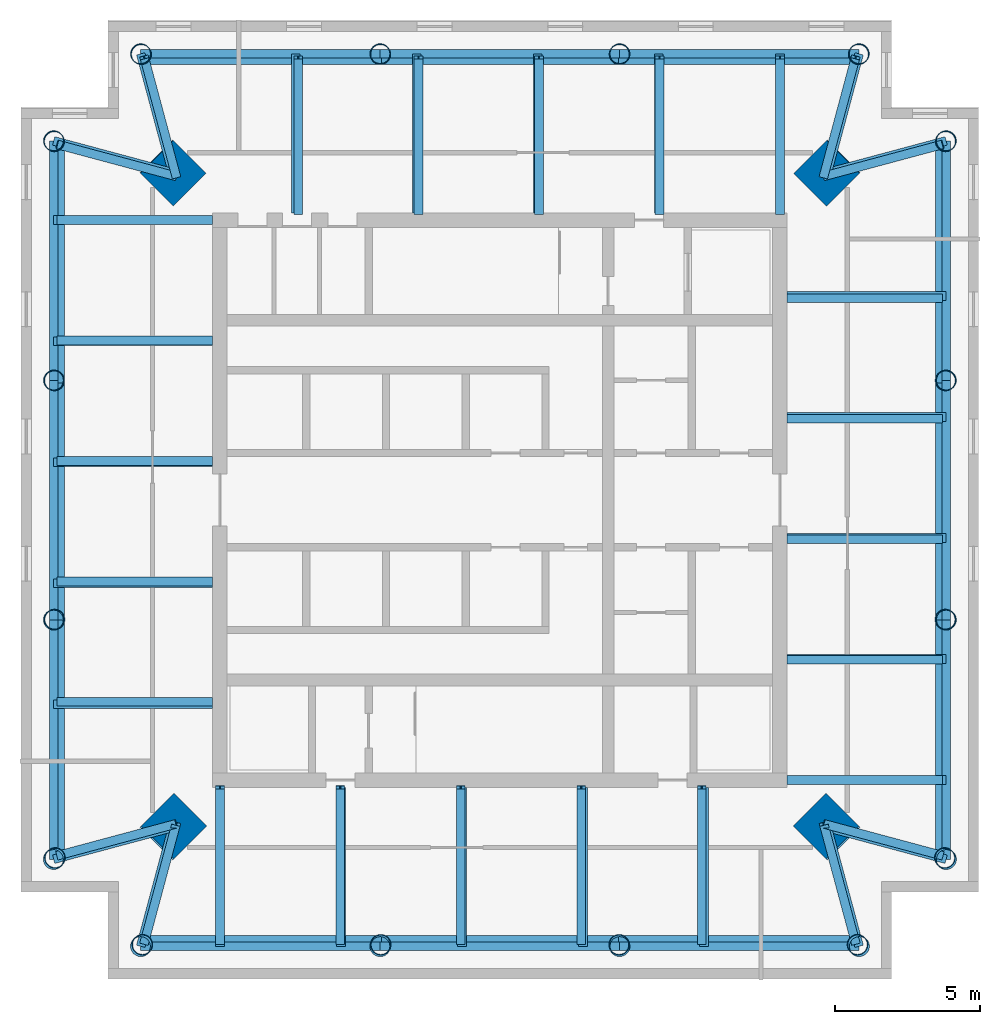
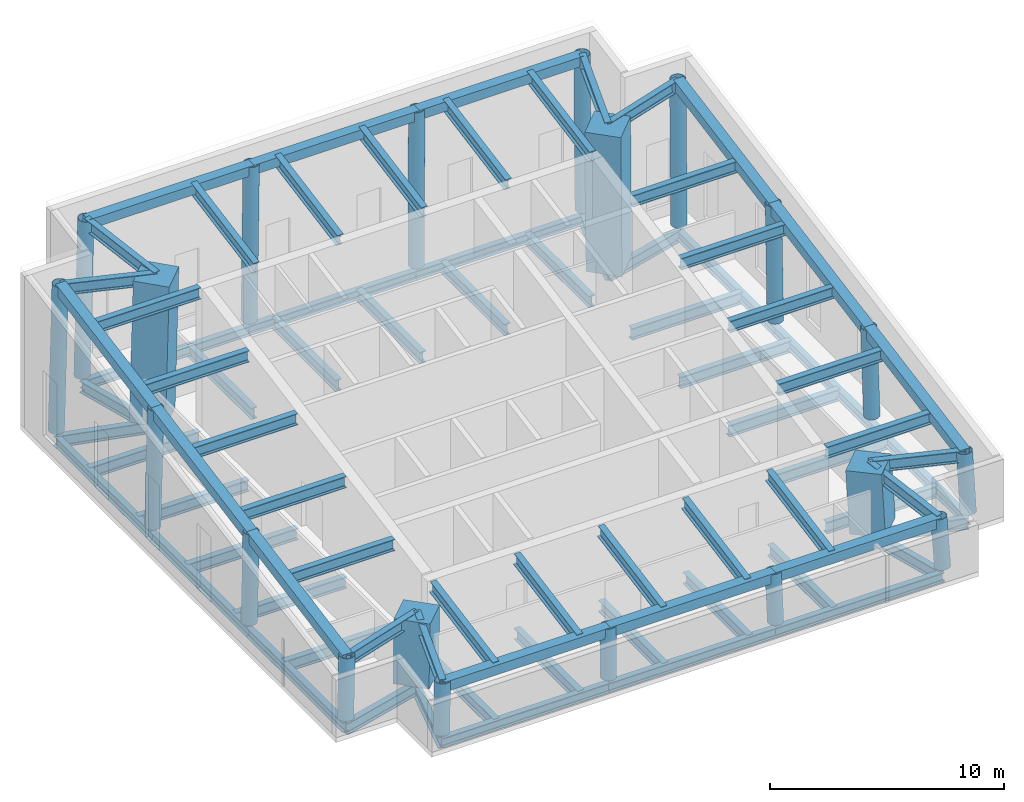
# One storey, part 1 of 5: 80 beams, 20 columns.
"""IFC4 building model written with IfcOpenShell, lengths in metres."""

from ifc_helpers import new_model, si_unit, direction, frame, origin, origin_2d, place, context, subcontext, project, spatial, rectangle, hollow_rectangle, hollow_circle, i_section, extrude, material, material_profile, profile_set, type_object, element, save


model = new_model("IFC4")

# Units and contexts
model_context = context("Model", 3, precision=1e-05, world=origin(), true_north=direction((0.0, 1.0)))
body_context = subcontext(model_context, "Body", "Model", "MODEL_VIEW")
ifc_project = project(units=[si_unit("LENGTHUNIT", "METRE"), si_unit("AREAUNIT", "SQUARE_METRE"), si_unit("VOLUMEUNIT", "CUBIC_METRE"), si_unit("PLANEANGLEUNIT", "RADIAN"), si_unit("MASSUNIT", "GRAM", prefix="KILO")], contexts=[model_context])

# Site, building, storey
site_placement = place(None, origin())
site = spatial("IfcSite", under=ifc_project, at=site_placement, CompositionType="ELEMENT")
building_placement = place(site_placement, origin())
building = spatial("IfcBuilding", under=site, at=building_placement, Name="Ostroluk Exchange", CompositionType="ELEMENT")
storey_placement = place(building_placement, frame((0.0, 0.0, 290.800048828125)))
storey = spatial("IfcBuildingStorey", under=building, at=storey_placement, Name="L75", CompositionType="ELEMENT", Elevation=290.800048828125)

# Columns
ifc_material_1 = material(Name="Concrete C50/60", Category="concrete")
ifc_material_profile_1 = material_profile(ifc_material_1, rectangle(XDim=1.60009765625, YDim=1.60009765625, at=origin_2d()), Name="RC 1600x1600")
ifc_profile_set_1 = profile_set([ifc_material_profile_1], Name="Concrete C50/60")
column_type_1 = type_object("IfcColumnType", Name="Mega column RC 1600x1600", PredefinedType="COLUMN", material=ifc_profile_set_1)
for number, where, z_axis, x_axis, name in (
    (1, (56.2783203125, 57.2783203125, 0.0185546875), (-0.016368491785, -0.016368491785, 0.999732036574), (0.707106781187, -0.707106781187, 0.0), "T1 mega column NE"),
    (2, (33.7216796875, 57.2783203125, 0.0185546875), (0.016368491785, -0.016368491785, 0.999732036574), (0.707106781187, 0.707106781187, 0.0), "T1 mega column NW"),
):
    element("IfcColumn", number, at=place(storey_placement, frame(where, z_axis=z_axis, x_axis=x_axis)), inside=storey, type_object=column_type_1, Name=name, PredefinedType="COLUMN", context=body_context, shape_type="SweptSolid", body=[
        extrude(rectangle(XDim=1.60009765625, YDim=1.60009765625, at=origin_2d()), origin(), (0.0, 0.0, 1.0), 7.39794921875),
    ])
for number, where, z_axis, x_axis, name in (
    (3, (33.7216796875, 34.7216796875, 0.006591796875), (0.036832736785, 0.036832736785, 0.998642428), (-0.707106781187, 0.707106781187, 0.0), "T1 mega column SW"),
    (4, (56.2783203125, 34.7216796875, 0.006591796875), (-0.036832736785, 0.036832736785, 0.998642428), (-0.707106781187, -0.707106781187, 0.0), "T1 mega column SE"),
):
    element("IfcColumn", number, at=place(storey_placement, frame(where, z_axis=z_axis, x_axis=x_axis)), inside=storey, type_object=column_type_1, Name=name, PredefinedType="COLUMN", context=body_context, shape_type="SweptSolid", body=[
        extrude(rectangle(XDim=1.60009765625, YDim=1.60009765625, at=origin_2d()), origin(), (0.0, 0.0, 1.0), 3.28759765625),
    ])
ifc_material_2 = material(Name="Steel S460", Category="steel")
ifc_material_profile_2 = material_profile(ifc_material_2, hollow_circle(Radius=0.35546875, WallThickness=0.02490234375, at=origin_2d()), Name="CHS 711x25")
ifc_profile_set_2 = profile_set([ifc_material_profile_2], Name="Steel S460")
column_type_2 = type_object("IfcColumnType", Name="Perimeter column CHS 711x25", PredefinedType="COLUMN", material=ifc_profile_set_2)
column_1_placement = place(storey_placement, frame((60.37841796875, 33.62158203125, 0.00537109375), z_axis=(-0.038304280408, 0.038304280408, 0.998531704156), x_axis=(-0.707106781187, -0.707106781187, 0.0)))
element("IfcColumn", 5, at=column_1_placement, inside=storey, type_object=column_type_2, Name="T1 east face column E0", PredefinedType="COLUMN", context=body_context, shape_type="SweptSolid", body=[
    extrude(hollow_circle(Radius=0.35546875, WallThickness=0.02490234375, at=origin_2d()), origin(), (0.0, 0.0, 1.0), 3.167724609375),
])
column_2_placement = place(storey_placement, frame((60.37841796875, 58.37841796875, 0.012451171875), z_axis=(-0.015779859934, -0.015779859934, 0.999750965011), x_axis=(0.707106781187, -0.707106781187, 0.0)))
element("IfcColumn", 6, at=column_2_placement, inside=storey, type_object=column_type_2, Name="T1 east face column E1", PredefinedType="COLUMN", context=body_context, shape_type="SweptSolid", body=[
    extrude(hollow_circle(Radius=0.35546875, WallThickness=0.02490234375, at=origin_2d()), origin(), (0.0, 0.0, 1.0), 7.689453125),
])
column_3_placement = place(storey_placement, frame((60.37841796875, 41.873779296875, 0.004150390625), z_axis=(-0.025946000299, 0.00866606851, 0.999625782143), x_axis=(-0.316800238982, -0.948492281772, 0.0)))
element("IfcColumn", 7, at=column_3_placement, inside=storey, type_object=column_type_2, Name="T1 east face column I1", PredefinedType="COLUMN", context=body_context, shape_type="SweptSolid", body=[
    extrude(hollow_circle(Radius=0.35546875, WallThickness=0.02490234375, at=origin_2d()), origin(), (0.0, 0.0, 1.0), 4.676513671875),
])
column_4_placement = place(storey_placement, frame((60.37841796875, 50.126220703125, 0.007568359375), z_axis=(-0.019623775422, -0.00655441996, 0.9997859506), x_axis=(0.316800238982, -0.948492281772, 0.0)))
element("IfcColumn", 8, at=column_4_placement, inside=storey, type_object=column_type_2, Name="T1 east face column I2", PredefinedType="COLUMN", context=body_context, shape_type="SweptSolid", body=[
    extrude(hollow_circle(Radius=0.35546875, WallThickness=0.02490234375, at=origin_2d()), origin(), (0.0, 0.0, 1.0), 6.18310546875),
])
for number, where, z_axis, x_axis, name in (
    (9, (57.37841796875, 61.37841796875, 0.01318359375), (-0.014720117829, -0.014720117829, 0.99978329465), (0.707106781187, -0.707106781187, 0.0), "T1 north face column E0"),
    (10, (32.62158203125, 61.37841796875, 0.01318359375), (0.014720117829, -0.014720117829, 0.99978329465), (0.707106781187, 0.707106781187, 0.0), "T1 north face column E1"),
):
    element("IfcColumn", number, at=place(storey_placement, frame(where, z_axis=z_axis, x_axis=x_axis)), inside=storey, type_object=column_type_2, Name=name, PredefinedType="COLUMN", context=body_context, shape_type="SweptSolid", body=[
        extrude(hollow_circle(Radius=0.35546875, WallThickness=0.02490234375, at=origin_2d()), origin(), (0.0, 0.0, 1.0), 8.242919921875),
    ])
for number, where, z_axis, x_axis, name in (
    (11, (49.126220703125, 61.37841796875, 0.010009765625), (-0.004915159448, -0.01471586895, 0.99987963496), (0.948492281772, -0.316800238982, 0.0), "T1 north face column I1"),
    (12, (40.873779296875, 61.37841796875, 0.010009765625), (0.004915159448, -0.01471586895, 0.99987963496), (0.948492281772, 0.316800238982, 0.0), "T1 north face column I2"),
):
    element("IfcColumn", number, at=place(storey_placement, frame(where, z_axis=z_axis, x_axis=x_axis)), inside=storey, type_object=column_type_2, Name=name, PredefinedType="COLUMN", context=body_context, shape_type="SweptSolid", body=[
        extrude(hollow_circle(Radius=0.35546875, WallThickness=0.02490234375, at=origin_2d()), origin(), (0.0, 0.0, 1.0), 8.245361328125),
    ])
column_5_placement = place(storey_placement, frame((29.62158203125, 58.37841796875, 0.012451171875), z_axis=(0.015779859934, -0.015779859934, 0.999750965011), x_axis=(0.707106781187, 0.707106781187, 0.0)))
element("IfcColumn", 13, at=column_5_placement, inside=storey, type_object=column_type_2, Name="T1 west face column E0", PredefinedType="COLUMN", context=body_context, shape_type="SweptSolid", body=[
    extrude(hollow_circle(Radius=0.35546875, WallThickness=0.02490234375, at=origin_2d()), origin(), (0.0, 0.0, 1.0), 7.689453125),
])
column_6_placement = place(storey_placement, frame((29.62158203125, 33.62158203125, 0.00537109375), z_axis=(0.038304280408, 0.038304280408, 0.998531704156), x_axis=(-0.707106781187, 0.707106781187, 0.0)))
element("IfcColumn", 14, at=column_6_placement, inside=storey, type_object=column_type_2, Name="T1 west face column E1", PredefinedType="COLUMN", context=body_context, shape_type="SweptSolid", body=[
    extrude(hollow_circle(Radius=0.35546875, WallThickness=0.02490234375, at=origin_2d()), origin(), (0.0, 0.0, 1.0), 3.167724609375),
])
column_7_placement = place(storey_placement, frame((29.62158203125, 50.126220703125, 0.007568359375), z_axis=(0.019623775422, -0.00655441996, 0.9997859506), x_axis=(0.316800238982, 0.948492281772, 0.0)))
element("IfcColumn", 15, at=column_7_placement, inside=storey, type_object=column_type_2, Name="T1 west face column I1", PredefinedType="COLUMN", context=body_context, shape_type="SweptSolid", body=[
    extrude(hollow_circle(Radius=0.35546875, WallThickness=0.02490234375, at=origin_2d()), origin(), (0.0, 0.0, 1.0), 6.18310546875),
])
column_8_placement = place(storey_placement, frame((29.62158203125, 41.873779296875, 0.004150390625), z_axis=(0.025946000299, 0.00866606851, 0.999625782143), x_axis=(-0.316800238982, 0.948492281772, 0.0)))
element("IfcColumn", 16, at=column_8_placement, inside=storey, type_object=column_type_2, Name="T1 west face column I2", PredefinedType="COLUMN", context=body_context, shape_type="SweptSolid", body=[
    extrude(hollow_circle(Radius=0.35546875, WallThickness=0.02490234375, at=origin_2d()), origin(), (0.0, 0.0, 1.0), 4.676513671875),
])
for number, where, z_axis, x_axis, name in (
    (17, (32.6220703125, 30.6220703125, 0.01123046875), (0.046331141792, 0.046331141792, 0.99785111645), (-0.707106781187, 0.707106781187, 0.0), "T1 south face column E0"),
    (18, (57.3779296875, 30.6220703125, 0.01123046875), (-0.046331141792, 0.046331141792, 0.99785111645), (-0.707106781187, -0.707106781187, 0.0), "T1 south face column E1"),
):
    element("IfcColumn", number, at=place(storey_placement, frame(where, z_axis=z_axis, x_axis=x_axis)), inside=storey, type_object=column_type_2, Name=name, PredefinedType="COLUMN", context=body_context, shape_type="SweptSolid", body=[
        extrude(hollow_circle(Radius=0.35546875, WallThickness=0.02490234375, at=origin_2d()), origin(), (0.0, 0.0, 1.0), 2.6083984375),
    ])
for number, where, z_axis, x_axis, name in (
    (19, (40.8740234375, 30.621826171875, 0.008544921875), (0.015442506278, 0.046421109782, 0.998802587885), (-0.948874429781, 0.315653792165, 0.0), "T1 south face column I1"),
    (20, (49.1259765625, 30.621826171875, 0.008544921875), (-0.015442506278, 0.046421109782, 0.998802587885), (-0.948874429781, -0.315653792165, 0.0), "T1 south face column I2"),
):
    element("IfcColumn", number, at=place(storey_placement, frame(where, z_axis=z_axis, x_axis=x_axis)), inside=storey, type_object=column_type_2, Name=name, PredefinedType="COLUMN", context=body_context, shape_type="SweptSolid", body=[
        extrude(hollow_circle(Radius=0.35546875, WallThickness=0.02490234375, at=origin_2d()), origin(), (0.0, 0.0, 1.0), 2.608642578125),
    ])

# Beams
ifc_material_3 = material(Name="Steel S355", Category="steel")
ifc_material_profile_3 = material_profile(ifc_material_3, i_section(OverallWidth=0.300048828125, OverallDepth=0.60009765625, WebThickness=0.015380859375, FlangeThickness=0.030029296875, FilletRadius=0.027099609375, at=origin_2d()), Name="HEB 600")
ifc_profile_set_3 = profile_set([ifc_material_profile_3], Name="Steel S355")
beam_type_1 = type_object("IfcBeamType", Name="Corner edge beam HEB 600", PredefinedType="SPANDREL", material=ifc_profile_set_3)
for number, where, z_axis, x_axis, name in (
    (21, (56.278564453125, 57.278564453125, -0.550048828125), (0.965838624319, 0.259144268261, 0.0), (-0.259144268261, 0.965838624319, 0.0), "T1 east corner edge beam a"),
    (22, (56.278564453125, 57.278564453125, -0.550048828125), (0.259144268261, 0.965838624319, 0.0), (-0.965838624319, 0.259144268261, 0.0), "T1 east corner edge beam b"),
    (23, (33.721435546875, 57.278564453125, -0.550048828125), (-0.259144268261, 0.965838624319, 0.0), (-0.965838624319, -0.259144268261, 0.0), "T1 north corner edge beam a"),
    (24, (33.721435546875, 57.278564453125, -0.550048828125), (-0.965838624319, 0.259144268261, 0.0), (-0.259144268261, -0.965838624319, 0.0), "T1 north corner edge beam b"),
    (25, (33.721435546875, 34.721435546875, -0.550048828125), (-0.965838624319, -0.259144268261, 0.0), (0.259144268261, -0.965838624319, 0.0), "T1 west corner edge beam a"),
    (26, (33.721435546875, 34.721435546875, -0.550048828125), (-0.259144268261, -0.965838624319, 0.0), (0.965838624319, -0.259144268261, 0.0), "T1 west corner edge beam b"),
    (27, (56.278564453125, 34.721435546875, -0.550048828125), (0.259144268261, -0.965838624319, 0.0), (0.965838624319, 0.259144268261, 0.0), "T1 south corner edge beam a"),
    (28, (56.278564453125, 34.721435546875, -0.550048828125), (0.965838624319, -0.259144268261, 0.0), (0.259144268261, 0.965838624319, 0.0), "T1 south corner edge beam b"),
):
    element("IfcBeam", number, at=place(storey_placement, frame(where, z_axis=z_axis, x_axis=x_axis)), inside=storey, type_object=beam_type_1, Name=name, PredefinedType="SPANDREL", context=body_context, shape_type="SweptSolid", body=[
        extrude(i_section(OverallWidth=0.300048828125, OverallDepth=0.60009765625, WebThickness=0.015380859375, FlangeThickness=0.030029296875, FilletRadius=0.027099609375, at=origin_2d()), origin(), (0.0, 0.0, 1.0), 4.2451171875),
    ])
beam_1_placement = place(storey_placement, frame((56.1572265625, 57.1572265625, 7.235595703125), z_axis=(0.964742572329, 0.258808151512, 0.047855092166), x_axis=(-0.259105011038, 0.965849156574, 0.0)))
element("IfcBeam", 29, at=beam_1_placement, inside=storey, type_object=beam_type_1, Name="T1 east corner edge beam a", PredefinedType="SPANDREL", context=body_context, shape_type="SweptSolid", body=[
    extrude(i_section(OverallWidth=0.300048828125, OverallDepth=0.60009765625, WebThickness=0.015380859375, FlangeThickness=0.030029296875, FilletRadius=0.027099609375, at=origin_2d()), origin(), (0.0, 0.0, 1.0), 4.249755859375),
])
for number, where, z_axis, x_axis, name in (
    (30, (56.1572265625, 57.1572265625, 7.255126953125), (0.255072100067, 0.950815932615, 0.175747791034), (-0.965849156574, 0.259105011038, 0.0), "T1 east corner edge beam b"),
    (31, (33.8427734375, 57.1572265625, 7.255126953125), (-0.255072100067, 0.950815932615, 0.175747791034), (-0.965849156574, -0.259105011038, 0.0), "T1 north corner edge beam a"),
):
    element("IfcBeam", number, at=place(storey_placement, frame(where, z_axis=z_axis, x_axis=x_axis)), inside=storey, type_object=beam_type_1, Name=name, PredefinedType="SPANDREL", context=body_context, shape_type="SweptSolid", body=[
        extrude(i_section(OverallWidth=0.300048828125, OverallDepth=0.60009765625, WebThickness=0.015380859375, FlangeThickness=0.030029296875, FilletRadius=0.027099609375, at=origin_2d()), origin(), (0.0, 0.0, 1.0), 4.31201171875),
    ])
for number, where, z_axis, x_axis, name in (
    (32, (33.8427734375, 57.1572265625, 7.235595703125), (-0.964742572329, 0.258808151512, 0.047855092166), (-0.259105011038, -0.965849156574, 0.0), "T1 north corner edge beam b"),
    (33, (33.8427734375, 34.8427734375, 3.11083984375), (-0.964742572329, -0.258808151512, -0.047855092166), (0.259105011038, -0.965849156574, 0.0), "T1 west corner edge beam a"),
):
    element("IfcBeam", number, at=place(storey_placement, frame(where, z_axis=z_axis, x_axis=x_axis)), inside=storey, type_object=beam_type_1, Name=name, PredefinedType="SPANDREL", context=body_context, shape_type="SweptSolid", body=[
        extrude(i_section(OverallWidth=0.300048828125, OverallDepth=0.60009765625, WebThickness=0.015380859375, FlangeThickness=0.030029296875, FilletRadius=0.027099609375, at=origin_2d()), origin(), (0.0, 0.0, 1.0), 4.249755859375),
    ])
for number, where, z_axis, x_axis, name in (
    (34, (33.8427734375, 34.8427734375, 3.13037109375), (-0.255072100067, -0.950815932615, -0.175747791034), (0.965849156574, -0.259105011038, 0.0), "T1 west corner edge beam b"),
    (35, (56.1572265625, 34.8427734375, 3.13037109375), (0.255072100067, -0.950815932615, -0.175747791034), (0.965849156574, 0.259105011038, 0.0), "T1 south corner edge beam a"),
):
    element("IfcBeam", number, at=place(storey_placement, frame(where, z_axis=z_axis, x_axis=x_axis)), inside=storey, type_object=beam_type_1, Name=name, PredefinedType="SPANDREL", context=body_context, shape_type="SweptSolid", body=[
        extrude(i_section(OverallWidth=0.300048828125, OverallDepth=0.60009765625, WebThickness=0.015380859375, FlangeThickness=0.030029296875, FilletRadius=0.027099609375, at=origin_2d()), origin(), (0.0, 0.0, 1.0), 4.31201171875),
    ])
beam_2_placement = place(storey_placement, frame((56.1572265625, 34.8427734375, 3.11083984375), z_axis=(0.964742572329, -0.258808151512, -0.047855092166), x_axis=(0.259105011038, 0.965849156574, 0.0)))
element("IfcBeam", 36, at=beam_2_placement, inside=storey, type_object=beam_type_1, Name="T1 south corner edge beam b", PredefinedType="SPANDREL", context=body_context, shape_type="SweptSolid", body=[
    extrude(i_section(OverallWidth=0.300048828125, OverallDepth=0.60009765625, WebThickness=0.015380859375, FlangeThickness=0.030029296875, FilletRadius=0.027099609375, at=origin_2d()), origin(), (0.0, 0.0, 1.0), 4.249755859375),
])
ifc_material_4 = material(Name="Steel S355", Category="steel")
ifc_material_profile_4 = material_profile(ifc_material_4, i_section(OverallWidth=0.300048828125, OverallDepth=0.60009765625, WebThickness=0.015380859375, FlangeThickness=0.030029296875, FilletRadius=0.027099609375, at=origin_2d()), Name="HEB 600")
ifc_profile_set_4 = profile_set([ifc_material_profile_4], Name="Steel S355")
beam_type_2 = type_object("IfcBeamType", Name="Floor beam HEB 600", PredefinedType="BEAM", material=ifc_profile_set_4)
for number, where, z_axis, x_axis, name in (
    (37, (54.89990234375, 40.521484375, -0.550048828125), (1.0, 0.0, 0.0), (0.0, 1.0, 0.0), "T1 east floor beam 1"),
    (38, (54.89990234375, 44.69287109375, -0.550048828125), (1.0, 0.0, 0.0), (0.0, 1.0, 0.0), "T1 east floor beam 2"),
    (39, (54.89990234375, 48.8642578125, -0.550048828125), (1.0, 0.0, 0.0), (0.0, 1.0, 0.0), "T1 east floor beam 3"),
    (40, (54.89990234375, 53.03564453125, -0.550048828125), (1.0, 0.0, 0.0), (0.0, 1.0, 0.0), "T1 east floor beam 4"),
    (41, (50.478515625, 55.89990234375, -0.550048828125), (0.0, 1.0, 0.0), (-1.0, 0.0, 0.0), "T1 north floor beam 1"),
    (42, (46.30712890625, 55.89990234375, -0.550048828125), (0.0, 1.0, 0.0), (-1.0, 0.0, 0.0), "T1 north floor beam 2"),
    (43, (42.1357421875, 55.89990234375, -0.550048828125), (0.0, 1.0, 0.0), (-1.0, 0.0, 0.0), "T1 north floor beam 3"),
    (44, (37.96435546875, 55.89990234375, -0.550048828125), (0.0, 1.0, 0.0), (-1.0, 0.0, 0.0), "T1 north floor beam 4"),
    (45, (35.10009765625, 51.478515625, -0.550048828125), (-1.0, 0.0, 0.0), (0.0, -1.0, 0.0), "T1 west floor beam 1"),
    (46, (35.10009765625, 47.30712890625, -0.550048828125), (-1.0, 0.0, 0.0), (0.0, -1.0, 0.0), "T1 west floor beam 2"),
    (47, (35.10009765625, 43.1357421875, -0.550048828125), (-1.0, 0.0, 0.0), (0.0, -1.0, 0.0), "T1 west floor beam 3"),
    (48, (35.10009765625, 38.96435546875, -0.550048828125), (-1.0, 0.0, 0.0), (0.0, -1.0, 0.0), "T1 west floor beam 4"),
    (49, (39.521484375, 36.10009765625, -0.550048828125), (0.0, -1.0, 0.0), (1.0, 0.0, 0.0), "T1 south floor beam 1"),
    (50, (43.69287109375, 36.10009765625, -0.550048828125), (0.0, -1.0, 0.0), (1.0, 0.0, 0.0), "T1 south floor beam 2"),
    (51, (47.8642578125, 36.10009765625, -0.550048828125), (0.0, -1.0, 0.0), (1.0, 0.0, 0.0), "T1 south floor beam 3"),
    (52, (52.03564453125, 36.10009765625, -0.550048828125), (0.0, -1.0, 0.0), (1.0, 0.0, 0.0), "T1 south floor beam 4"),
):
    element("IfcBeam", number, at=place(storey_placement, frame(where, z_axis=z_axis, x_axis=x_axis)), inside=storey, type_object=beam_type_2, Name=name, PredefinedType="BEAM", context=body_context, shape_type="SweptSolid", body=[
        extrude(i_section(OverallWidth=0.300048828125, OverallDepth=0.60009765625, WebThickness=0.015380859375, FlangeThickness=0.030029296875, FilletRadius=0.027099609375, at=origin_2d()), origin(), (0.0, 0.0, 1.0), 5.478759765625),
    ])
for number, where, z_axis, x_axis, name in (
    (53, (54.89990234375, 40.501220703125, 4.15576171875), (1.0, 0.0, 0.0), (0.0, 1.0, 0.0), "T1 east floor beam 1"),
    (54, (54.89990234375, 44.65234375, 4.923095703125), (1.0, 0.0, 0.0), (0.0, 1.0, 0.0), "T1 east floor beam 2"),
    (55, (54.89990234375, 48.803466796875, 5.6904296875), (1.0, 0.0, 0.0), (0.0, 1.0, 0.0), "T1 east floor beam 3"),
    (56, (54.89990234375, 52.954833984375, 6.457763671875), (1.0, 0.0, 0.0), (0.0, 1.0, 0.0), "T1 east floor beam 4"),
):
    element("IfcBeam", number, at=place(storey_placement, frame(where, z_axis=z_axis, x_axis=x_axis)), inside=storey, type_object=beam_type_2, Name=name, PredefinedType="BEAM", context=body_context, shape_type="SweptSolid", body=[
        extrude(i_section(OverallWidth=0.300048828125, OverallDepth=0.60009765625, WebThickness=0.015380859375, FlangeThickness=0.030029296875, FilletRadius=0.027099609375, at=origin_2d()), origin(), (0.0, 0.0, 1.0), 5.357177734375),
    ])
for number, where, z_axis, x_axis, name in (
    (57, (50.498779296875, 55.89990234375, 7.030029296875), (0.0, 0.983342276866, 0.181763490633), (-1.0, 0.0, 0.0), "T1 north floor beam 1"),
    (58, (46.34765625, 55.89990234375, 7.030029296875), (0.0, 0.983342276866, 0.181763490633), (-1.0, 0.0, 0.0), "T1 north floor beam 2"),
    (59, (42.196533203125, 55.89990234375, 7.030029296875), (0.0, 0.983342276866, 0.181763490633), (-1.0, 0.0, 0.0), "T1 north floor beam 3"),
    (60, (38.045166015625, 55.89990234375, 7.030029296875), (0.0, 0.983342276866, 0.181763490633), (-1.0, 0.0, 0.0), "T1 north floor beam 4"),
):
    element("IfcBeam", number, at=place(storey_placement, frame(where, z_axis=z_axis, x_axis=x_axis)), inside=storey, type_object=beam_type_2, Name=name, PredefinedType="BEAM", context=body_context, shape_type="SweptSolid", body=[
        extrude(i_section(OverallWidth=0.300048828125, OverallDepth=0.60009765625, WebThickness=0.015380859375, FlangeThickness=0.030029296875, FilletRadius=0.027099609375, at=origin_2d()), origin(), (0.0, 0.0, 1.0), 5.447998046875),
    ])
for number, where, z_axis, x_axis, name in (
    (61, (35.10009765625, 51.498779296875, 6.188720703125), (-1.0, 0.0, 0.0), (0.0, -1.0, 0.0), "T1 west floor beam 1"),
    (62, (35.10009765625, 47.34765625, 5.42138671875), (-1.0, 0.0, 0.0), (0.0, -1.0, 0.0), "T1 west floor beam 2"),
    (63, (35.10009765625, 43.196533203125, 4.654052734375), (-1.0, 0.0, 0.0), (0.0, -1.0, 0.0), "T1 west floor beam 3"),
    (64, (35.10009765625, 39.045166015625, 3.88671875), (-1.0, 0.0, 0.0), (0.0, -1.0, 0.0), "T1 west floor beam 4"),
):
    element("IfcBeam", number, at=place(storey_placement, frame(where, z_axis=z_axis, x_axis=x_axis)), inside=storey, type_object=beam_type_2, Name=name, PredefinedType="BEAM", context=body_context, shape_type="SweptSolid", body=[
        extrude(i_section(OverallWidth=0.300048828125, OverallDepth=0.60009765625, WebThickness=0.015380859375, FlangeThickness=0.030029296875, FilletRadius=0.027099609375, at=origin_2d()), origin(), (0.0, 0.0, 1.0), 5.357177734375),
    ])
for number, where, z_axis, x_axis, name in (
    (65, (39.501220703125, 36.10009765625, 3.369873046875), (0.0, -0.983342276866, -0.181763490633), (1.0, 0.0, 0.0), "T1 south floor beam 1"),
    (66, (43.65234375, 36.10009765625, 3.369873046875), (0.0, -0.983342276866, -0.181763490633), (1.0, 0.0, 0.0), "T1 south floor beam 2"),
    (67, (47.803466796875, 36.10009765625, 3.369873046875), (0.0, -0.983342276866, -0.181763490633), (1.0, 0.0, 0.0), "T1 south floor beam 3"),
    (68, (51.954833984375, 36.10009765625, 3.369873046875), (0.0, -0.983342276866, -0.181763490633), (1.0, 0.0, 0.0), "T1 south floor beam 4"),
):
    element("IfcBeam", number, at=place(storey_placement, frame(where, z_axis=z_axis, x_axis=x_axis)), inside=storey, type_object=beam_type_2, Name=name, PredefinedType="BEAM", context=body_context, shape_type="SweptSolid", body=[
        extrude(i_section(OverallWidth=0.300048828125, OverallDepth=0.60009765625, WebThickness=0.015380859375, FlangeThickness=0.030029296875, FilletRadius=0.027099609375, at=origin_2d()), origin(), (0.0, 0.0, 1.0), 5.447998046875),
    ])
ifc_material_5 = material(Name="Steel S355", Category="steel")
ifc_material_profile_5 = material_profile(ifc_material_5, i_section(OverallWidth=0.300048828125, OverallDepth=0.60009765625, WebThickness=0.015380859375, FlangeThickness=0.030029296875, FilletRadius=0.027099609375, at=origin_2d()), Name="HEB 600")
ifc_profile_set_5 = profile_set([ifc_material_profile_5], Name="Steel S355")
beam_type_3 = type_object("IfcBeamType", Name="Girder HEB 600", PredefinedType="BEAM", material=ifc_profile_set_5)
for number, where, z_axis, x_axis, name in (
    (69, (54.64990234375, 55.89990234375, -0.550048828125), (0.0, 1.0, 0.0), (-1.0, 0.0, 0.0), "T1 east girder"),
    (70, (35.10009765625, 55.64990234375, -0.550048828125), (-1.0, 0.0, 0.0), (0.0, -1.0, 0.0), "T1 north girder"),
    (71, (35.35009765625, 36.10009765625, -0.550048828125), (0.0, -1.0, 0.0), (1.0, 0.0, 0.0), "T1 west girder"),
    (72, (54.89990234375, 36.35009765625, -0.550048828125), (1.0, 0.0, 0.0), (0.0, 1.0, 0.0), "T1 south girder"),
):
    element("IfcBeam", number, at=place(storey_placement, frame(where, z_axis=z_axis, x_axis=x_axis)), inside=storey, type_object=beam_type_3, Name=name, PredefinedType="BEAM", context=body_context, shape_type="SweptSolid", body=[
        extrude(i_section(OverallWidth=0.300048828125, OverallDepth=0.60009765625, WebThickness=0.015380859375, FlangeThickness=0.030029296875, FilletRadius=0.027099609375, at=origin_2d()), origin(), (0.0, 0.0, 1.0), 5.478759765625),
    ])
beam_3_placement = place(storey_placement, frame((54.64990234375, 55.89990234375, 7.030029296875), z_axis=(0.0, 0.983342276866, 0.181763490633), x_axis=(-1.0, 0.0, 0.0)))
element("IfcBeam", 73, at=beam_3_placement, inside=storey, type_object=beam_type_3, Name="T1 east girder", PredefinedType="BEAM", context=body_context, shape_type="SweptSolid", body=[
    extrude(i_section(OverallWidth=0.300048828125, OverallDepth=0.60009765625, WebThickness=0.015380859375, FlangeThickness=0.030029296875, FilletRadius=0.027099609375, at=origin_2d()), origin(), (0.0, 0.0, 1.0), 5.447998046875),
])
beam_4_placement = place(storey_placement, frame((35.10009765625, 55.64990234375, 6.9560546875), z_axis=(-1.0, 0.0, 0.0), x_axis=(0.0, -1.0, 0.0)))
element("IfcBeam", 74, at=beam_4_placement, inside=storey, type_object=beam_type_3, Name="T1 north girder", PredefinedType="BEAM", context=body_context, shape_type="SweptSolid", body=[
    extrude(i_section(OverallWidth=0.300048828125, OverallDepth=0.60009765625, WebThickness=0.015380859375, FlangeThickness=0.030029296875, FilletRadius=0.027099609375, at=origin_2d()), origin(), (0.0, 0.0, 1.0), 5.357177734375),
])
beam_5_placement = place(storey_placement, frame((35.35009765625, 36.10009765625, 3.369873046875), z_axis=(0.0, -0.983342276866, -0.181763490633), x_axis=(1.0, 0.0, 0.0)))
element("IfcBeam", 75, at=beam_5_placement, inside=storey, type_object=beam_type_3, Name="T1 west girder", PredefinedType="BEAM", context=body_context, shape_type="SweptSolid", body=[
    extrude(i_section(OverallWidth=0.300048828125, OverallDepth=0.60009765625, WebThickness=0.015380859375, FlangeThickness=0.030029296875, FilletRadius=0.027099609375, at=origin_2d()), origin(), (0.0, 0.0, 1.0), 5.447998046875),
])
beam_6_placement = place(storey_placement, frame((54.89990234375, 36.35009765625, 3.388427734375), z_axis=(1.0, 0.0, 0.0), x_axis=(0.0, 1.0, 0.0)))
element("IfcBeam", 76, at=beam_6_placement, inside=storey, type_object=beam_type_3, Name="T1 south girder", PredefinedType="BEAM", context=body_context, shape_type="SweptSolid", body=[
    extrude(i_section(OverallWidth=0.300048828125, OverallDepth=0.60009765625, WebThickness=0.015380859375, FlangeThickness=0.030029296875, FilletRadius=0.027099609375, at=origin_2d()), origin(), (0.0, 0.0, 1.0), 5.357177734375),
])
ifc_material_6 = material(Name="Steel S355", Category="steel")
ifc_material_profile_6 = material_profile(ifc_material_6, hollow_rectangle(XDim=0.5, YDim=0.5, WallThickness=0.02490234375, at=origin_2d()), Name="BOX 500x500x25")
ifc_profile_set_6 = profile_set([ifc_material_profile_6], Name="Steel S355")
beam_type_4 = type_object("IfcBeamType", Name="Moment-connected edge beam BOX 500x500x25", PredefinedType="SPANDREL", material=ifc_profile_set_6)
for number, where, z_axis, x_axis, name in (
    (77, (60.257080078125, 33.742919921875, 2.984130859375), (0.0, 0.983340596618, 0.181772580558), (-1.0, 0.0, 0.0), "T1 east edge beam 1"),
    (78, (60.257080078125, 41.914306640625, 4.49462890625), (0.0, 0.983340596618, 0.181772580558), (-1.0, 0.0, 0.0), "T1 east edge beam 2"),
    (79, (60.257080078125, 50.085693359375, 6.005126953125), (0.0, 0.983340596618, 0.181772580558), (-1.0, 0.0, 0.0), "T1 east edge beam 3"),
):
    element("IfcBeam", number, at=place(storey_placement, frame(where, z_axis=z_axis, x_axis=x_axis)), inside=storey, type_object=beam_type_4, Name=name, PredefinedType="SPANDREL", context=body_context, shape_type="SweptSolid", body=[
        extrude(hollow_rectangle(XDim=0.5, YDim=0.5, WallThickness=0.02490234375, at=origin_2d()), origin(), (0.0, 0.0, 1.0), 8.309814453125),
    ])
for number, where, z_axis, x_axis, name in (
    (80, (57.257080078125, 61.257080078125, 8.02392578125), (-1.0, 0.0, 0.0), (0.0, -1.0, 0.0), "T1 north edge beam 1"),
    (81, (49.085693359375, 61.257080078125, 8.02392578125), (-1.0, 0.0, 0.0), (0.0, -1.0, 0.0), "T1 north edge beam 2"),
    (82, (40.914306640625, 61.257080078125, 8.02392578125), (-1.0, 0.0, 0.0), (0.0, -1.0, 0.0), "T1 north edge beam 3"),
):
    element("IfcBeam", number, at=place(storey_placement, frame(where, z_axis=z_axis, x_axis=x_axis)), inside=storey, type_object=beam_type_4, Name=name, PredefinedType="SPANDREL", context=body_context, shape_type="SweptSolid", body=[
        extrude(hollow_rectangle(XDim=0.5, YDim=0.5, WallThickness=0.02490234375, at=origin_2d()), origin(), (0.0, 0.0, 1.0), 8.17138671875),
    ])
for number, where, z_axis, x_axis, name in (
    (83, (29.742919921875, 58.257080078125, 7.515625), (0.0, -0.983340596618, -0.181772580558), (1.0, 0.0, 0.0), "T1 west edge beam 1"),
    (84, (29.742919921875, 50.085693359375, 6.005126953125), (0.0, -0.983340596618, -0.181772580558), (1.0, 0.0, 0.0), "T1 west edge beam 2"),
    (85, (29.742919921875, 41.914306640625, 4.49462890625), (0.0, -0.983340596618, -0.181772580558), (1.0, 0.0, 0.0), "T1 west edge beam 3"),
):
    element("IfcBeam", number, at=place(storey_placement, frame(where, z_axis=z_axis, x_axis=x_axis)), inside=storey, type_object=beam_type_4, Name=name, PredefinedType="SPANDREL", context=body_context, shape_type="SweptSolid", body=[
        extrude(hollow_rectangle(XDim=0.5, YDim=0.5, WallThickness=0.02490234375, at=origin_2d()), origin(), (0.0, 0.0, 1.0), 8.309814453125),
    ])
for number, where, z_axis, x_axis, name in (
    (86, (32.742919921875, 30.742919921875, 2.383544921875), (1.0, 0.0, 0.0), (0.0, 1.0, 0.0), "T1 south edge beam 1"),
    (87, (40.914306640625, 30.742919921875, 2.383544921875), (1.0, 0.0, 0.0), (0.0, 1.0, 0.0), "T1 south edge beam 2"),
    (88, (49.085693359375, 30.742919921875, 2.383544921875), (1.0, 0.0, 0.0), (0.0, 1.0, 0.0), "T1 south edge beam 3"),
):
    element("IfcBeam", number, at=place(storey_placement, frame(where, z_axis=z_axis, x_axis=x_axis)), inside=storey, type_object=beam_type_4, Name=name, PredefinedType="SPANDREL", context=body_context, shape_type="SweptSolid", body=[
        extrude(hollow_rectangle(XDim=0.5, YDim=0.5, WallThickness=0.02490234375, at=origin_2d()), origin(), (0.0, 0.0, 1.0), 8.17138671875),
    ])
ifc_material_7 = material(Name="Steel S355", Category="steel")
ifc_material_profile_7 = material_profile(ifc_material_7, i_section(OverallWidth=0.300048828125, OverallDepth=0.5, WebThickness=0.014404296875, FlangeThickness=0.028076171875, FilletRadius=0.027099609375, at=origin_2d()), Name="HEB 500")
ifc_profile_set_7 = profile_set([ifc_material_profile_7], Name="Steel S355")
beam_type_5 = type_object("IfcBeamType", Name="Moment-connected edge beam HEB 500", PredefinedType="SPANDREL", material=ifc_profile_set_7)
for number, where, z_axis, x_axis, name in (
    (89, (60.378662109375, 33.621337890625, -0.5), (0.0, 1.0, 0.0), (-1.0, 0.0, 0.0), "T1 east edge beam 1"),
    (90, (60.378662109375, 41.873779296875, -0.5), (0.0, 1.0, 0.0), (-1.0, 0.0, 0.0), "T1 east edge beam 2"),
    (91, (60.378662109375, 50.126220703125, -0.5), (0.0, 1.0, 0.0), (-1.0, 0.0, 0.0), "T1 east edge beam 3"),
    (92, (57.378662109375, 61.378662109375, -0.5), (-1.0, 0.0, 0.0), (0.0, -1.0, 0.0), "T1 north edge beam 1"),
    (93, (49.126220703125, 61.378662109375, -0.5), (-1.0, 0.0, 0.0), (0.0, -1.0, 0.0), "T1 north edge beam 2"),
    (94, (40.873779296875, 61.378662109375, -0.5), (-1.0, 0.0, 0.0), (0.0, -1.0, 0.0), "T1 north edge beam 3"),
    (95, (29.621337890625, 58.378662109375, -0.5), (0.0, -1.0, 0.0), (1.0, 0.0, 0.0), "T1 west edge beam 1"),
    (96, (29.621337890625, 50.126220703125, -0.5), (0.0, -1.0, 0.0), (1.0, 0.0, 0.0), "T1 west edge beam 2"),
    (97, (29.621337890625, 41.873779296875, -0.5), (0.0, -1.0, 0.0), (1.0, 0.0, 0.0), "T1 west edge beam 3"),
    (98, (32.621337890625, 30.621337890625, -0.5), (1.0, 0.0, 0.0), (0.0, 1.0, 0.0), "T1 south edge beam 1"),
    (99, (40.873779296875, 30.621337890625, -0.5), (1.0, 0.0, 0.0), (0.0, 1.0, 0.0), "T1 south edge beam 2"),
    (100, (49.126220703125, 30.621337890625, -0.5), (1.0, 0.0, 0.0), (0.0, 1.0, 0.0), "T1 south edge beam 3"),
):
    element("IfcBeam", number, at=place(storey_placement, frame(where, z_axis=z_axis, x_axis=x_axis)), inside=storey, type_object=beam_type_5, Name=name, PredefinedType="SPANDREL", context=body_context, shape_type="SweptSolid", body=[
        extrude(i_section(OverallWidth=0.300048828125, OverallDepth=0.5, WebThickness=0.014404296875, FlangeThickness=0.028076171875, FilletRadius=0.027099609375, at=origin_2d()), origin(), (0.0, 0.0, 1.0), 8.25244140625),
    ])

save(model, "model.ifc")
